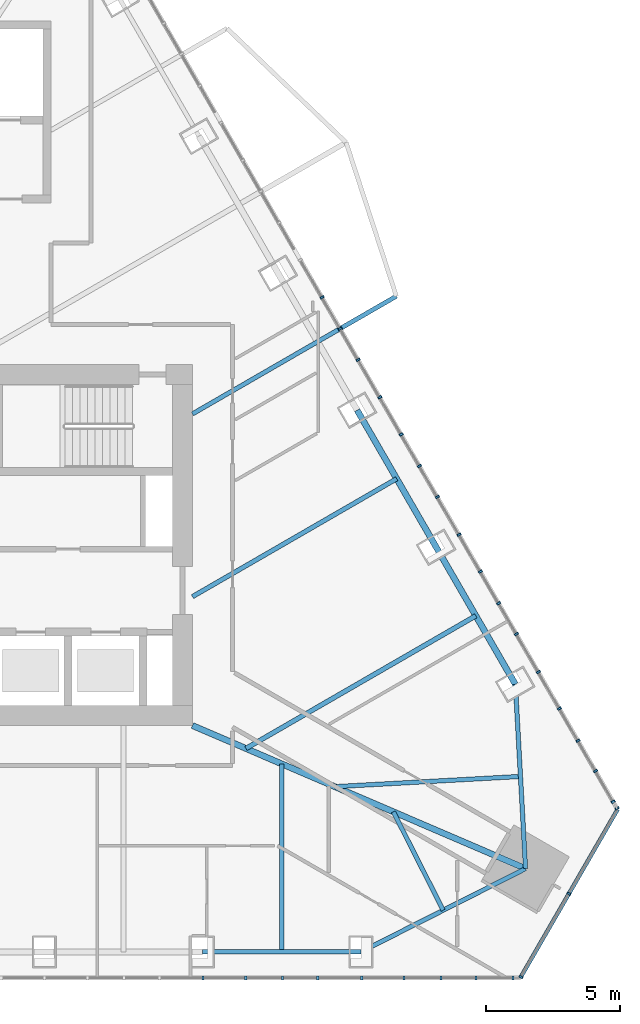
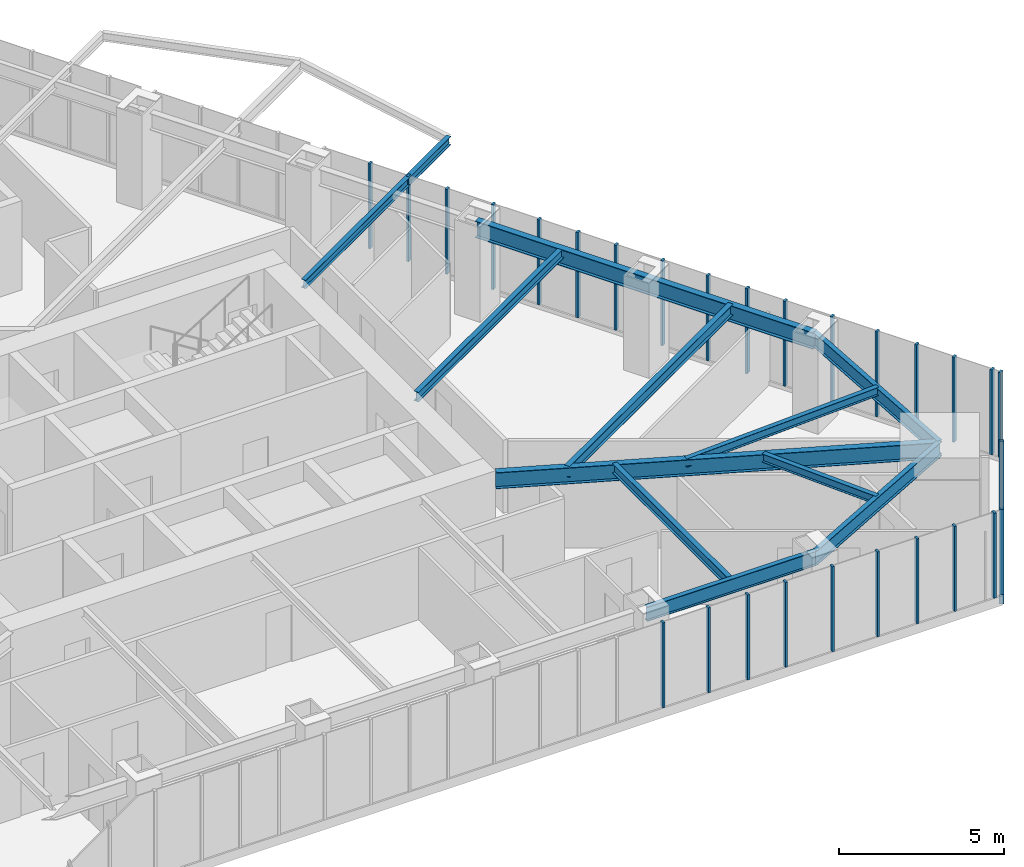
# One storey, part 7 of 19: 29 members, 11 beams, 3 elements without a shape of their own.
"""IFC4 building model written with IfcOpenShell, lengths in metres."""

from ifc_helpers import new_model, si_unit, direction, frame, origin, origin_2d, place, context, subcontext, project, spatial, rectangle, i_section, extrude, material, layer, layer_set, material_profile, profile_set, type_object, element, aggregate, save


model = new_model("IFC4")

# Units and contexts
model_context = context("Model", 3, precision=1e-05, world=origin(), true_north=direction((0.0, 1.0)))
body_context = subcontext(model_context, "Body", "Model", "MODEL_VIEW")
ifc_project = project(units=[si_unit("LENGTHUNIT", "METRE"), si_unit("AREAUNIT", "SQUARE_METRE"), si_unit("VOLUMEUNIT", "CUBIC_METRE"), si_unit("PLANEANGLEUNIT", "RADIAN"), si_unit("MASSUNIT", "GRAM", prefix="KILO")], contexts=[model_context])

# Site, building, storey
site_placement = place(None, origin())
site = spatial("IfcSite", under=ifc_project, at=site_placement, CompositionType="ELEMENT")
building_placement = place(site_placement, origin())
building = spatial("IfcBuilding", under=site, at=building_placement, Name="Firuza Gate Tower and Library", CompositionType="ELEMENT")
storey_placement = place(building_placement, frame((0.0, 0.0, 316.10009765625)))
storey = spatial("IfcBuildingStorey", under=building, at=storey_placement, Name="L77", CompositionType="ELEMENT", Elevation=316.10009765625)

# Curtain wall, members
ifc_material_1 = material(Name="Aluminium 6063-T6", Category="aluminium")
ifc_layer_1 = layer(ifc_material_1, 0.14990234375)
ifc_layer_set_1 = layer_set([ifc_layer_1], Name="Unitised curtain wall, residences")
curtain_wall_type_1 = type_object("IfcCurtainWallType", Name="Unitised curtain wall, residences", PredefinedType="NOTDEFINED", material=ifc_layer_set_1)
placement = place(storey_placement, origin())
curtain_wall_1 = element("IfcCurtainWall", 1, at=placement, inside=storey, type_object=curtain_wall_type_1, Name="CW3 L77 S face", PredefinedType="NOTDEFINED")
ifc_material_2 = material(Name="Aluminium 6063-T6", Category="aluminium")
ifc_material_profile_1 = material_profile(ifc_material_2, rectangle(XDim=0.14990234375, YDim=0.080078125, at=origin_2d()))
ifc_profile_set_1 = profile_set([ifc_material_profile_1], Name="Aluminium 6063-T6")
member_type_1 = type_object("IfcMemberType", Name="Curtain wall mullion 80x150", PredefinedType="MULLION", material=ifc_profile_set_1)
member_1_placement = place(storey_placement, frame((83.8984375, 58.805419921875, 0.14990234375), z_axis=(0.0, 0.0, 1.0), x_axis=(0.0, 1.0, 0.0)))
member_1 = element("IfcMember", 2, at=member_1_placement, type_object=member_type_1, Name="Mullion", PredefinedType="MULLION", context=body_context, shape_type="SweptSolid", body=[
    extrude(rectangle(XDim=0.14990234375, YDim=0.080078125, at=origin_2d()), origin(), (0.0, 0.0, 1.0), 3.14990234375),
])
member_2_placement = place(storey_placement, frame((86.86474609375, 58.805419921875, 0.14990234375), z_axis=(0.0, 0.0, 1.0), x_axis=(0.0, 1.0, 0.0)))
member_2 = element("IfcMember", 3, at=member_2_placement, type_object=member_type_1, Name="Mullion", PredefinedType="MULLION", context=body_context, shape_type="SweptSolid", body=[
    extrude(rectangle(XDim=0.14990234375, YDim=0.080078125, at=origin_2d()), origin(), (0.0, 0.0, 1.0), 3.14990234375),
])
member_3_placement = place(storey_placement, frame((89.830810546875, 58.805419921875, 0.14990234375), z_axis=(0.0, 0.0, 1.0), x_axis=(0.0, 1.0, 0.0)))
member_3 = element("IfcMember", 4, at=member_3_placement, type_object=member_type_1, Name="Mullion", PredefinedType="MULLION", context=body_context, shape_type="SweptSolid", body=[
    extrude(rectangle(XDim=0.14990234375, YDim=0.080078125, at=origin_2d()), origin(), (0.0, 0.0, 1.0), 3.14990234375),
])
member_4_placement = place(storey_placement, frame((92.797119140625, 58.805419921875, 0.14990234375), z_axis=(0.0, 0.0, 1.0), x_axis=(0.0, 1.0, 0.0)))
member_4 = element("IfcMember", 5, at=member_4_placement, type_object=member_type_1, Name="Mullion", PredefinedType="MULLION", context=body_context, shape_type="SweptSolid", body=[
    extrude(rectangle(XDim=0.14990234375, YDim=0.080078125, at=origin_2d()), origin(), (0.0, 0.0, 1.0), 3.14990234375),
])
member_5_placement = place(storey_placement, frame((85.4912109375, 58.805419921875, 0.14990234375), z_axis=(0.0, 0.0, 1.0), x_axis=(0.0, 1.0, 0.0)))
member_5 = element("IfcMember", 6, at=member_5_placement, type_object=member_type_1, Name="Mullion", PredefinedType="MULLION", context=body_context, shape_type="SweptSolid", body=[
    extrude(rectangle(XDim=0.14990234375, YDim=0.080078125, at=origin_2d()), origin(), (0.0, 0.0, 1.0), 3.14990234375),
])
member_6_placement = place(storey_placement, frame((88.18896484375, 58.805419921875, 0.14990234375), z_axis=(0.0, 0.0, 1.0), x_axis=(0.0, 1.0, 0.0)))
member_6 = element("IfcMember", 7, at=member_6_placement, type_object=member_type_1, Name="Mullion", PredefinedType="MULLION", context=body_context, shape_type="SweptSolid", body=[
    extrude(rectangle(XDim=0.14990234375, YDim=0.080078125, at=origin_2d()), origin(), (0.0, 0.0, 1.0), 3.14990234375),
])
member_7_placement = place(storey_placement, frame((91.4111328125, 58.805419921875, 0.14990234375), z_axis=(0.0, 0.0, 1.0), x_axis=(0.0, 1.0, 0.0)))
member_7 = element("IfcMember", 8, at=member_7_placement, type_object=member_type_1, Name="Mullion", PredefinedType="MULLION", context=body_context, shape_type="SweptSolid", body=[
    extrude(rectangle(XDim=0.14990234375, YDim=0.080078125, at=origin_2d()), origin(), (0.0, 0.0, 1.0), 3.14990234375),
])
member_8_placement = place(storey_placement, frame((94.10888671875, 58.805419921875, 0.14990234375), z_axis=(0.0, 0.0, 1.0), x_axis=(0.0, 1.0, 0.0)))
member_8 = element("IfcMember", 9, at=member_8_placement, type_object=member_type_1, Name="Mullion", PredefinedType="MULLION", context=body_context, shape_type="SweptSolid", body=[
    extrude(rectangle(XDim=0.14990234375, YDim=0.080078125, at=origin_2d()), origin(), (0.0, 0.0, 1.0), 3.14990234375),
])
member_9_placement = place(storey_placement, frame((95.497314453125, 58.805419921875, 0.14990234375), z_axis=(0.0, 0.0, 1.0), x_axis=(0.0, 1.0, 0.0)))
member_9 = element("IfcMember", 10, at=member_9_placement, type_object=member_type_1, Name="Mullion", PredefinedType="MULLION", context=body_context, shape_type="SweptSolid", body=[
    extrude(rectangle(XDim=0.14990234375, YDim=0.080078125, at=origin_2d()), origin(), (0.0, 0.0, 1.0), 3.14990234375),
])
aggregate(curtain_wall_1, [member_1, member_2, member_3, member_4, member_5, member_6, member_7, member_8, member_9])

ifc_material_3 = material(Name="Aluminium 6063-T6", Category="aluminium")
ifc_layer_2 = layer(ifc_material_3, 0.14990234375)
ifc_layer_set_2 = layer_set([ifc_layer_2], Name="Corner curtain wall, chamfers")
curtain_wall_type_2 = type_object("IfcCurtainWallType", Name="Corner curtain wall, chamfers", PredefinedType="NOTDEFINED", material=ifc_layer_set_2)
curtain_wall_2 = element("IfcCurtainWall", 11, at=placement, inside=storey, type_object=curtain_wall_type_2, Name="CW4 L77 SE corner", PredefinedType="NOTDEFINED")
member_10_placement = place(storey_placement, frame((95.783203125, 58.840087890625, 0.14990234375), z_axis=(0.0, 0.0, 1.0), x_axis=(-0.866025403784, 0.5, 0.0)))
member_10 = element("IfcMember", 12, at=member_10_placement, type_object=member_type_1, Name="Mullion", PredefinedType="MULLION", context=body_context, shape_type="SweptSolid", body=[
    extrude(rectangle(XDim=0.14990234375, YDim=0.080078125, at=origin_2d()), origin(), (0.0, 0.0, 1.0), 3.14990234375),
])
member_11_placement = place(storey_placement, frame((97.5849609375, 61.960693359375, 0.14990234375), z_axis=(0.0, 0.0, 1.0), x_axis=(-0.866025403784, 0.5, 0.0)))
member_11 = element("IfcMember", 13, at=member_11_placement, type_object=member_type_1, Name="Mullion", PredefinedType="MULLION", context=body_context, shape_type="SweptSolid", body=[
    extrude(rectangle(XDim=0.14990234375, YDim=0.080078125, at=origin_2d()), origin(), (0.0, 0.0, 1.0), 3.14990234375),
])

curtain_wall_3 = element("IfcCurtainWall", 14, at=placement, inside=storey, type_object=curtain_wall_type_1, Name="CW3 L77 E face", PredefinedType="NOTDEFINED")
member_12_placement = place(storey_placement, frame((99.38671875, 65.150390625, 0.14990234375), z_axis=(0.0, 0.0, 1.0), x_axis=(-0.866025403784, -0.5, 0.0)))
member_12 = element("IfcMember", 15, at=member_12_placement, type_object=member_type_1, Name="Mullion", PredefinedType="MULLION", context=body_context, shape_type="SweptSolid", body=[
    extrude(rectangle(XDim=0.14990234375, YDim=0.080078125, at=origin_2d()), origin(), (0.0, 0.0, 1.0), 3.14990234375),
])
member_13_placement = place(storey_placement, frame((97.923583984375, 67.6845703125, 0.14990234375), z_axis=(0.0, 0.0, 1.0), x_axis=(-0.866025403784, -0.5, 0.0)))
member_13 = element("IfcMember", 16, at=member_13_placement, type_object=member_type_1, Name="Mullion", PredefinedType="MULLION", context=body_context, shape_type="SweptSolid", body=[
    extrude(rectangle(XDim=0.14990234375, YDim=0.080078125, at=origin_2d()), origin(), (0.0, 0.0, 1.0), 3.14990234375),
])
member_14_placement = place(storey_placement, frame((96.4404296875, 70.25341796875, 0.14990234375), z_axis=(0.0, 0.0, 1.0), x_axis=(-0.866025403784, -0.5, 0.0)))
member_14 = element("IfcMember", 17, at=member_14_placement, type_object=member_type_1, Name="Mullion", PredefinedType="MULLION", context=body_context, shape_type="SweptSolid", body=[
    extrude(rectangle(XDim=0.14990234375, YDim=0.080078125, at=origin_2d()), origin(), (0.0, 0.0, 1.0), 3.14990234375),
])
member_15_placement = place(storey_placement, frame((94.957275390625, 72.822021484375, 0.14990234375), z_axis=(0.0, 0.0, 1.0), x_axis=(-0.866025403784, -0.5, 0.0)))
member_15 = element("IfcMember", 18, at=member_15_placement, type_object=member_type_1, Name="Mullion", PredefinedType="MULLION", context=body_context, shape_type="SweptSolid", body=[
    extrude(rectangle(XDim=0.14990234375, YDim=0.080078125, at=origin_2d()), origin(), (0.0, 0.0, 1.0), 3.14990234375),
])
member_16_placement = place(storey_placement, frame((93.47412109375, 75.390869140625, 0.14990234375), z_axis=(0.0, 0.0, 1.0), x_axis=(-0.866025403784, -0.5, 0.0)))
member_16 = element("IfcMember", 19, at=member_16_placement, type_object=member_type_1, Name="Mullion", PredefinedType="MULLION", context=body_context, shape_type="SweptSolid", body=[
    extrude(rectangle(XDim=0.14990234375, YDim=0.080078125, at=origin_2d()), origin(), (0.0, 0.0, 1.0), 3.14990234375),
])
member_17_placement = place(storey_placement, frame((91.9912109375, 77.959716796875, 0.14990234375), z_axis=(0.0, 0.0, 1.0), x_axis=(-0.866025403784, -0.5, 0.0)))
member_17 = element("IfcMember", 20, at=member_17_placement, type_object=member_type_1, Name="Mullion", PredefinedType="MULLION", context=body_context, shape_type="SweptSolid", body=[
    extrude(rectangle(XDim=0.14990234375, YDim=0.080078125, at=origin_2d()), origin(), (0.0, 0.0, 1.0), 3.14990234375),
])
member_18_placement = place(storey_placement, frame((90.508056640625, 80.528564453125, 0.14990234375), z_axis=(0.0, 0.0, 1.0), x_axis=(-0.866025403784, -0.5, 0.0)))
member_18 = element("IfcMember", 21, at=member_18_placement, type_object=member_type_1, Name="Mullion", PredefinedType="MULLION", context=body_context, shape_type="SweptSolid", body=[
    extrude(rectangle(XDim=0.14990234375, YDim=0.080078125, at=origin_2d()), origin(), (0.0, 0.0, 1.0), 3.14990234375),
])
member_19_placement = place(storey_placement, frame((89.02490234375, 83.097412109375, 0.14990234375), z_axis=(0.0, 0.0, 1.0), x_axis=(-0.866025403784, -0.5, 0.0)))
member_19 = element("IfcMember", 22, at=member_19_placement, type_object=member_type_1, Name="Mullion", PredefinedType="MULLION", context=body_context, shape_type="SweptSolid", body=[
    extrude(rectangle(XDim=0.14990234375, YDim=0.080078125, at=origin_2d()), origin(), (0.0, 0.0, 1.0), 3.14990234375),
])
member_20_placement = place(storey_placement, frame((99.240966796875, 65.402587890625, 0.14990234375), z_axis=(0.0, 0.0, 1.0), x_axis=(-0.866025403784, -0.5, 0.0)))
member_20 = element("IfcMember", 23, at=member_20_placement, type_object=member_type_1, Name="Mullion", PredefinedType="MULLION", context=body_context, shape_type="SweptSolid", body=[
    extrude(rectangle(XDim=0.14990234375, YDim=0.080078125, at=origin_2d()), origin(), (0.0, 0.0, 1.0), 3.14990234375),
])
member_21_placement = place(storey_placement, frame((98.579345703125, 66.548583984375, 0.14990234375), z_axis=(0.0, 0.0, 1.0), x_axis=(-0.866025403784, -0.5, 0.0)))
member_21 = element("IfcMember", 24, at=member_21_placement, type_object=member_type_1, Name="Mullion", PredefinedType="MULLION", context=body_context, shape_type="SweptSolid", body=[
    extrude(rectangle(XDim=0.14990234375, YDim=0.080078125, at=origin_2d()), origin(), (0.0, 0.0, 1.0), 3.14990234375),
])
member_22_placement = place(storey_placement, frame((97.23046875, 68.884765625, 0.14990234375), z_axis=(0.0, 0.0, 1.0), x_axis=(-0.866025403784, -0.5, 0.0)))
member_22 = element("IfcMember", 25, at=member_22_placement, type_object=member_type_1, Name="Mullion", PredefinedType="MULLION", context=body_context, shape_type="SweptSolid", body=[
    extrude(rectangle(XDim=0.14990234375, YDim=0.080078125, at=origin_2d()), origin(), (0.0, 0.0, 1.0), 3.14990234375),
])
member_23_placement = place(storey_placement, frame((95.619384765625, 71.67529296875, 0.14990234375), z_axis=(0.0, 0.0, 1.0), x_axis=(-0.866025403784, -0.5, 0.0)))
member_23 = element("IfcMember", 26, at=member_23_placement, type_object=member_type_1, Name="Mullion", PredefinedType="MULLION", context=body_context, shape_type="SweptSolid", body=[
    extrude(rectangle(XDim=0.14990234375, YDim=0.080078125, at=origin_2d()), origin(), (0.0, 0.0, 1.0), 3.14990234375),
])
member_24_placement = place(storey_placement, frame((94.2705078125, 74.01171875, 0.14990234375), z_axis=(0.0, 0.0, 1.0), x_axis=(-0.866025403784, -0.5, 0.0)))
member_24 = element("IfcMember", 27, at=member_24_placement, type_object=member_type_1, Name="Mullion", PredefinedType="MULLION", context=body_context, shape_type="SweptSolid", body=[
    extrude(rectangle(XDim=0.14990234375, YDim=0.080078125, at=origin_2d()), origin(), (0.0, 0.0, 1.0), 3.14990234375),
])
member_25_placement = place(storey_placement, frame((92.659423828125, 76.80224609375, 0.14990234375), z_axis=(0.0, 0.0, 1.0), x_axis=(-0.866025403784, -0.5, 0.0)))
member_25 = element("IfcMember", 28, at=member_25_placement, type_object=member_type_1, Name="Mullion", PredefinedType="MULLION", context=body_context, shape_type="SweptSolid", body=[
    extrude(rectangle(XDim=0.14990234375, YDim=0.080078125, at=origin_2d()), origin(), (0.0, 0.0, 1.0), 3.14990234375),
])
member_26_placement = place(storey_placement, frame((91.310546875, 79.138671875, 0.14990234375), z_axis=(0.0, 0.0, 1.0), x_axis=(-0.866025403784, -0.5, 0.0)))
member_26 = element("IfcMember", 29, at=member_26_placement, type_object=member_type_1, Name="Mullion", PredefinedType="MULLION", context=body_context, shape_type="SweptSolid", body=[
    extrude(rectangle(XDim=0.14990234375, YDim=0.080078125, at=origin_2d()), origin(), (0.0, 0.0, 1.0), 3.14990234375),
])
member_27_placement = place(storey_placement, frame((89.699462890625, 81.92919921875, 0.14990234375), z_axis=(0.0, 0.0, 1.0), x_axis=(-0.866025403784, -0.5, 0.0)))
member_27 = element("IfcMember", 30, at=member_27_placement, type_object=member_type_1, Name="Mullion", PredefinedType="MULLION", context=body_context, shape_type="SweptSolid", body=[
    extrude(rectangle(XDim=0.14990234375, YDim=0.080078125, at=origin_2d()), origin(), (0.0, 0.0, 1.0), 3.14990234375),
])
member_28_placement = place(storey_placement, frame((88.3505859375, 84.265380859375, 0.14990234375), z_axis=(0.0, 0.0, 1.0), x_axis=(-0.866025403784, -0.5, 0.0)))
member_28 = element("IfcMember", 31, at=member_28_placement, type_object=member_type_1, Name="Mullion", PredefinedType="MULLION", context=body_context, shape_type="SweptSolid", body=[
    extrude(rectangle(XDim=0.14990234375, YDim=0.080078125, at=origin_2d()), origin(), (0.0, 0.0, 1.0), 3.14990234375),
])
aggregate(curtain_wall_3, [member_12, member_13, member_14, member_15, member_16, member_17, member_18, member_19, member_20, member_21, member_22, member_23, member_24, member_25, member_26, member_27, member_28])

# Member
ifc_material_4 = material(Name="Aluminium 6063-T6", Category="aluminium")
ifc_material_profile_2 = material_profile(ifc_material_4, rectangle(XDim=0.14990234375, YDim=0.35009765625, at=origin_2d()))
ifc_profile_set_2 = profile_set([ifc_material_profile_2], Name="Aluminium 6063-T6")
member_type_2 = type_object("IfcMemberType", Name="Curtain wall transom 350x150", PredefinedType="USERDEFINED", material=ifc_profile_set_2)
member_29_placement = place(storey_placement, frame((95.76318359375, 58.805419921875, -0.025146484375), z_axis=(0.500005719219, 0.866022101766, 0.0), x_axis=(-0.866022101766, 0.500005719219, 0.0)))
member_29 = element("IfcMember", 32, at=member_29_placement, type_object=member_type_2, Name="Transom", ObjectType="TRANSOM", PredefinedType="USERDEFINED", context=body_context, shape_type="SweptSolid", body=[
    extrude(rectangle(XDim=0.14990234375, YDim=0.35009765625, at=origin_2d()), origin(), (0.0, 0.0, 1.0), 7.28662109375),
])

aggregate(curtain_wall_2, [member_10, member_11, member_29])

# Beams
ifc_material_5 = material(Name="Steel S355", Category="steel")
ifc_material_profile_3 = material_profile(ifc_material_5, i_section(OverallWidth=0.1650390625, OverallDepth=0.31005859375, WebThickness=0.005859375, FlangeThickness=0.009765625, at=origin_2d()))
ifc_profile_set_3 = profile_set([ifc_material_profile_3], Name="Steel S355")
beam_type_1 = type_object("IfcBeamType", Name="W310x39 Floor beam", PredefinedType="JOIST", material=ifc_profile_set_3)
beam_1_placement = place(storey_placement, frame((92.880615234375, 61.339111328125, 3.14501953125), z_axis=(-0.451491484808, 0.892275427851, 0.0), x_axis=(-0.892275427851, -0.451491484808, 0.0)))
element("IfcBeam", 33, at=beam_1_placement, inside=storey, type_object=beam_type_1, Name="Floor beam L77 s30", PredefinedType="JOIST", context=body_context, shape_type="SweptSolid", body=[
    extrude(i_section(OverallWidth=0.1650390625, OverallDepth=0.31005859375, WebThickness=0.005859375, FlangeThickness=0.009765625, at=origin_2d()), origin(), (0.0, 0.0, 1.0), 4.126953125),
])
beam_2_placement = place(storey_placement, frame((95.770751953125, 66.345458984375, 3.14501953125), z_axis=(-0.998479843112, -0.055118081421, 0.0), x_axis=(0.055118081421, -0.998479843112, 0.0)))
element("IfcBeam", 34, at=beam_2_placement, inside=storey, type_object=beam_type_1, Name="Floor beam L77 s40", PredefinedType="JOIST", context=body_context, shape_type="SweptSolid", body=[
    extrude(i_section(OverallWidth=0.1650390625, OverallDepth=0.31005859375, WebThickness=0.005859375, FlangeThickness=0.009765625, at=origin_2d()), origin(), (0.0, 0.0, 1.0), 6.9541015625),
])
beam_3_placement = place(storey_placement, frame((91.127685546875, 84.311279296875, 3.14501953125), z_axis=(-0.866027257721, -0.499996788874, 0.0), x_axis=(0.499996788874, -0.866027257721, 0.0)))
element("IfcBeam", 35, at=beam_3_placement, inside=storey, type_object=beam_type_1, Name="Floor beam L77 s52", PredefinedType="JOIST", context=body_context, shape_type="SweptSolid", body=[
    extrude(i_section(OverallWidth=0.1650390625, OverallDepth=0.31005859375, WebThickness=0.005859375, FlangeThickness=0.009765625, at=origin_2d()), origin(), (0.0, 0.0, 1.0), 8.8076171875),
])
ifc_material_6 = material(Name="Steel S355", Category="steel")
ifc_material_profile_4 = material_profile(ifc_material_6, i_section(OverallWidth=0.1708984375, OverallDepth=0.35498046875, WebThickness=0.007080078125, FlangeThickness=0.01171875, at=origin_2d()))
ifc_profile_set_4 = profile_set([ifc_material_profile_4], Name="Steel S355")
beam_type_2 = type_object("IfcBeamType", Name="W360x51 Floor beam", PredefinedType="JOIST", material=ifc_profile_set_4)
beam_4_placement = place(storey_placement, frame((86.840087890625, 59.7802734375, 3.122314453125), z_axis=(0.0, 1.0, 0.0), x_axis=(-1.0, 0.0, 0.0)))
element("IfcBeam", 36, at=beam_4_placement, inside=storey, type_object=beam_type_2, Name="Floor beam L77 s24", PredefinedType="JOIST", context=body_context, shape_type="SweptSolid", body=[
    extrude(i_section(OverallWidth=0.1708984375, OverallDepth=0.35498046875, WebThickness=0.007080078125, FlangeThickness=0.01171875, at=origin_2d()), origin(), (0.0, 0.0, 1.0), 7.03515625),
])
beam_5_placement = place(storey_placement, frame((91.140625, 77.48291015625, 3.122314453125), z_axis=(-0.866022456413, -0.500005104963, 0.0), x_axis=(0.500005104963, -0.866022456413, 0.0)))
element("IfcBeam", 37, at=beam_5_placement, inside=storey, type_object=beam_type_2, Name="Floor beam L77 s51", PredefinedType="JOIST", context=body_context, shape_type="SweptSolid", body=[
    extrude(i_section(OverallWidth=0.1708984375, OverallDepth=0.35498046875, WebThickness=0.007080078125, FlangeThickness=0.01171875, at=origin_2d()), origin(), (0.0, 0.0, 1.0), 8.82275390625),
])
ifc_material_7 = material(Name="Steel S355", Category="steel")
ifc_material_profile_5 = material_profile(ifc_material_7, i_section(OverallWidth=0.177978515625, OverallDepth=0.406982421875, WebThickness=0.0078125, FlangeThickness=0.0126953125, at=origin_2d()))
ifc_profile_set_5 = profile_set([ifc_material_profile_5], Name="Steel S355")
beam_type_3 = type_object("IfcBeamType", Name="W410x60 Floor beam", PredefinedType="JOIST", material=ifc_profile_set_5)
beam_6_placement = place(storey_placement, frame((94.1005859375, 72.35595703125, 3.096435546875), z_axis=(-0.866033287653, -0.49998634449, 0.0), x_axis=(0.49998634449, -0.866033287653, 0.0)))
element("IfcBeam", 38, at=beam_6_placement, inside=storey, type_object=beam_type_3, Name="Floor beam L77 s50", PredefinedType="JOIST", context=body_context, shape_type="SweptSolid", body=[
    extrude(i_section(OverallWidth=0.177978515625, OverallDepth=0.406982421875, WebThickness=0.0078125, FlangeThickness=0.0126953125, at=origin_2d()), origin(), (0.0, 0.0, 1.0), 9.930419921875),
])
ifc_material_8 = material(Name="Steel S355", Category="steel")
ifc_material_profile_6 = material_profile(ifc_material_8, i_section(OverallWidth=0.166015625, OverallDepth=0.534912109375, WebThickness=0.01025390625, FlangeThickness=0.0166015625, at=origin_2d()))
ifc_profile_set_6 = profile_set([ifc_material_profile_6], Name="Steel S355")
beam_type_4 = type_object("IfcBeamType", Name="W530x85 Edge beam", PredefinedType="SPANDREL", material=ifc_profile_set_6)
beam_7_placement = place(storey_placement, frame((83.8798828125, 59.7802734375, 3.032470703125), z_axis=(1.0, 0.0, 0.0), x_axis=(0.0, 1.0, 0.0)))
element("IfcBeam", 39, at=beam_7_placement, inside=storey, type_object=beam_type_4, Name="Edge beam L77 e24", PredefinedType="SPANDREL", context=body_context, shape_type="SweptSolid", body=[
    extrude(i_section(OverallWidth=0.166015625, OverallDepth=0.534912109375, WebThickness=0.01025390625, FlangeThickness=0.0166015625, at=origin_2d()), origin(), (0.0, 0.0, 1.0), 5.920166015625),
])
for number, where, z_axis, x_axis, name in (
    (40, (89.800048828125, 59.7802734375, 3.032470703125), (0.89225291274, 0.451535978309, 0.0), (-0.451535978309, 0.89225291274, 0.0), "Edge beam L77 e30"),
    (41, (95.961181640625, 62.898193359375, 3.032470703125), (-0.055121451324, 0.998479657081, 0.0), (-0.998479657081, -0.055121451324, 0.0), "Edge beam L77 e40"),
):
    element("IfcBeam", number, at=place(storey_placement, frame(where, z_axis=z_axis, x_axis=x_axis)), inside=storey, type_object=beam_type_4, Name=name, PredefinedType="SPANDREL", context=body_context, shape_type="SweptSolid", body=[
        extrude(i_section(OverallWidth=0.166015625, OverallDepth=0.534912109375, WebThickness=0.01025390625, FlangeThickness=0.0166015625, at=origin_2d()), origin(), (0.0, 0.0, 1.0), 6.905029296875),
    ])
ifc_material_9 = material(Name="Steel S355", Category="steel")
ifc_material_profile_7 = material_profile(ifc_material_9, i_section(OverallWidth=0.22802734375, OverallDepth=0.60302734375, WebThickness=0.010498046875, FlangeThickness=0.014892578125, at=origin_2d()))
ifc_profile_set_7 = profile_set([ifc_material_profile_7], Name="Steel S355")
beam_type_5 = type_object("IfcBeamType", Name="W610x101 Girder", PredefinedType="BEAM", material=ifc_profile_set_7)
beam_8_placement = place(storey_placement, frame((95.961181640625, 62.898193359375, 2.998291015625), z_axis=(-0.918843070784, 0.394623125618, 0.0), x_axis=(-0.394623125618, -0.918843070784, 0.0)))
element("IfcBeam", 42, at=beam_8_placement, inside=storey, type_object=beam_type_5, Name="Girder L77 gSE", PredefinedType="BEAM", context=body_context, shape_type="SweptSolid", body=[
    extrude(i_section(OverallWidth=0.22802734375, OverallDepth=0.60302734375, WebThickness=0.010498046875, FlangeThickness=0.014892578125, at=origin_2d()), origin(), (0.0, 0.0, 1.0), 13.561767578125),
])
ifc_material_10 = material(Name="Steel S355", Category="steel")
ifc_material_profile_8 = material_profile(ifc_material_10, i_section(OverallWidth=0.22900390625, OverallDepth=0.612060546875, WebThickness=0.011962890625, FlangeThickness=0.01953125, at=origin_2d()))
ifc_profile_set_8 = profile_set([ifc_material_profile_8], Name="Steel S355")
beam_type_6 = type_object("IfcBeamType", Name="W610x125 Edge beam", PredefinedType="SPANDREL", material=ifc_profile_set_8)
beam_9_placement = place(storey_placement, frame((95.58056640625, 69.792724609375, 2.993896484375), z_axis=(-0.499997928356, 0.866026599845, 0.0), x_axis=(-0.866026599845, -0.499997928356, 0.0)))
element("IfcBeam", 43, at=beam_9_placement, inside=storey, type_object=beam_type_6, Name="Edge beam L77 e50", PredefinedType="SPANDREL", context=body_context, shape_type="SweptSolid", body=[
    extrude(i_section(OverallWidth=0.22900390625, OverallDepth=0.612060546875, WebThickness=0.011962890625, FlangeThickness=0.01953125, at=origin_2d()), origin(), (0.0, 0.0, 1.0), 11.83984375),
])

save(model, "model.ifc")
